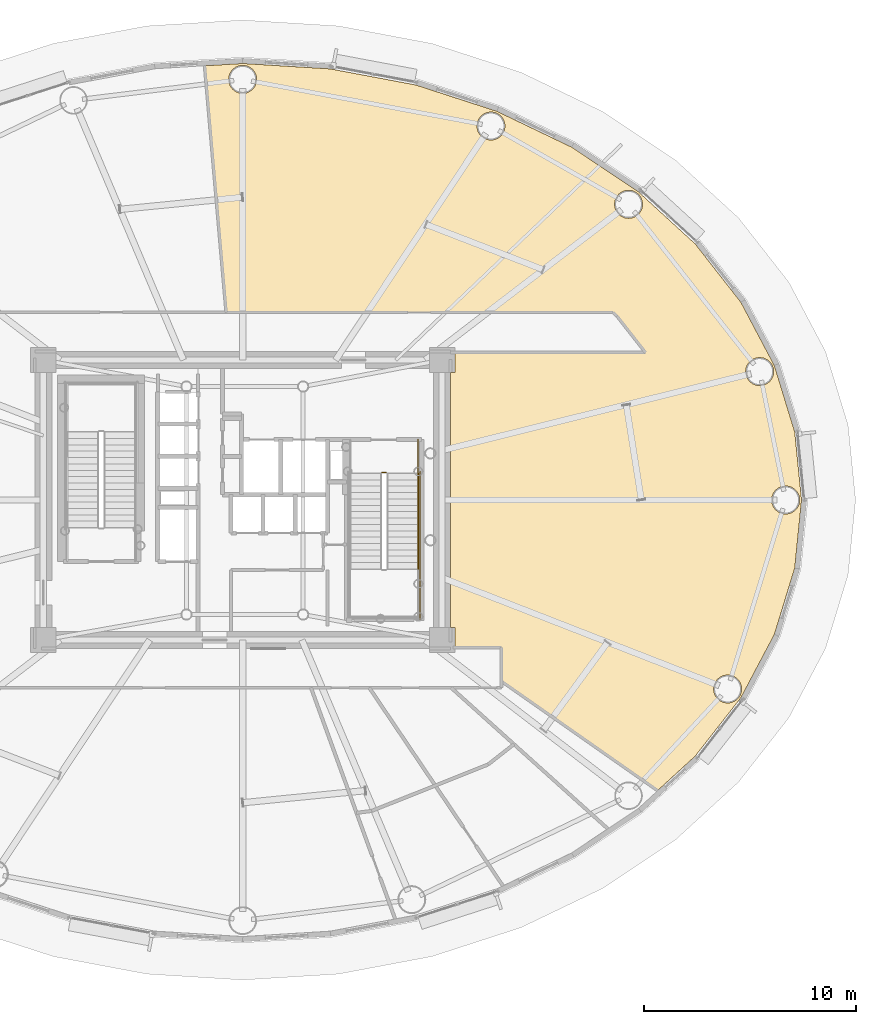
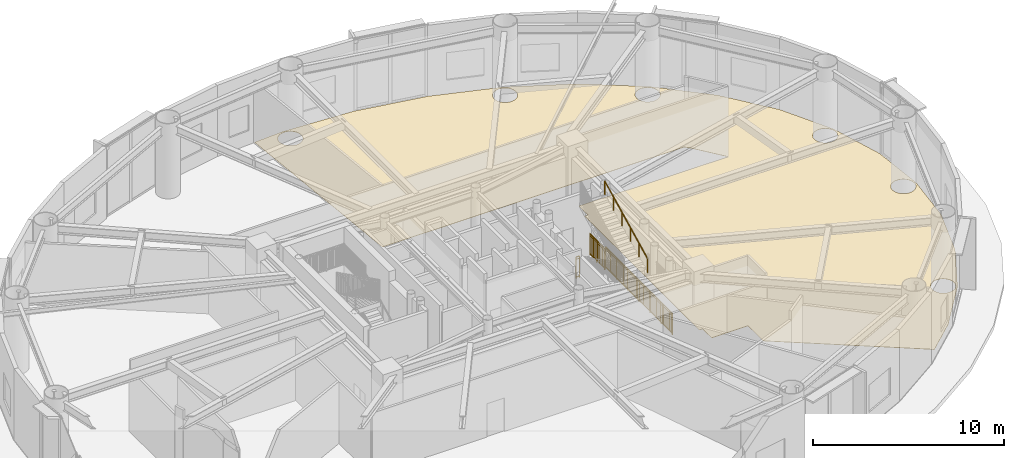
# One storey, part 37 of 38: 4 railings, 1 covering.
"""IFC4 building model written with IfcOpenShell, lengths in metres."""

from ifc_helpers import new_model, si_unit, direction, frame, origin, origin_2d, place, context, subcontext, project, spatial, polyline, rectangle, outline, extrude, source, transform, mapped, material, layer, layer_set, type_object, element, save


model = new_model("IFC4")

# Units and contexts
model_context = context("Model", 3, precision=1e-05, world=origin(), true_north=direction((0.0, 1.0)))
body_context = subcontext(model_context, "Body", "Model", "MODEL_VIEW")
ifc_project = project(units=[si_unit("LENGTHUNIT", "METRE"), si_unit("AREAUNIT", "SQUARE_METRE"), si_unit("VOLUMEUNIT", "CUBIC_METRE"), si_unit("PLANEANGLEUNIT", "RADIAN"), si_unit("MASSUNIT", "GRAM", prefix="KILO")], contexts=[model_context])

# Site, building, storey
site_placement = place(None, origin())
site = spatial("IfcSite", under=ifc_project, at=site_placement, CompositionType="ELEMENT")
building_placement = place(site_placement, origin())
building = spatial("IfcBuilding", under=site, at=building_placement, Name="Linh Dai School and Residence Tower", CompositionType="ELEMENT")
storey_placement = place(building_placement, frame((0.0, 0.0, 151.35009765625)))
storey = spatial("IfcBuildingStorey", under=building, at=storey_placement, Name="L36", CompositionType="ELEMENT", Elevation=151.35009765625)

# Covering
ifc_material_1 = material(Name="Polished Terrazzo Floor Finish", Category="masonry")
ifc_layer = layer(ifc_material_1, 0.02490234375)
ifc_layer_set = layer_set([ifc_layer], Name="Polished Terrazzo Floor Finish")
covering_type = type_object("IfcCoveringType", Name="COV-FLR-TRZ-25", PredefinedType="FLOORING", material=ifc_layer_set)
covering_placement = place(storey_placement, origin())
element("IfcCovering", 1, at=covering_placement, inside=storey, type_object=covering_type, Name="L36 Mid-Zone Transfer Sky Lobby Concourse Floor Finish", PredefinedType="FLOORING", context=body_context, shape_type="SweptSolid", body=[
    extrude(outline(polyline([(57.336669921875, 14.926513671875), (55.56396484375, 13.30126953125), (48.199951171875, 18.45751953125), (48.199951171875, 20.050048828125), (46.0, 20.050048828125), (46.0, 21.0), (45.800048828125, 21.0), (45.800048828125, 33.0), (46.0, 33.0), (46.0, 33.949951171875), (54.9970703125, 33.949951171875), (53.6533203125, 35.6669921875), (53.453857421875, 35.85009765625), (35.2255859375, 35.85009765625), (34.208984375, 47.469482421875), (36.0, 47.580078125), (40.13037109375, 47.325439453125), (44.158203125, 46.568115234375), (47.9833984375, 45.327392578125), (51.511474609375, 43.634521484375), (54.65478515625, 41.5322265625), (57.336669921875, 39.073486328125), (59.4912109375, 36.3203125), (61.067138671875, 33.341064453125), (62.027587890625, 30.208984375), (62.35009765625, 27.0), (62.027587890625, 23.791015625), (61.067138671875, 20.658935546875), (59.4912109375, 17.6796875), (57.336669921875, 14.926513671875)]), holes=[polyline([(61.930908203125, 26.4267578125), (62.068115234375, 26.531982421875), (62.17333984375, 26.6689453125), (62.239501953125, 26.82861328125), (62.261962890625, 27.0), (62.239501953125, 27.17138671875), (62.17333984375, 27.3310546875), (62.068115234375, 27.468017578125), (61.930908203125, 27.5732421875), (61.771240234375, 27.639404296875), (61.60009765625, 27.662109375), (61.4287109375, 27.639404296875), (61.26904296875, 27.5732421875), (61.1318359375, 27.468017578125), (61.026611328125, 27.3310546875), (60.960693359375, 27.17138671875), (60.93798828125, 27.0), (60.960693359375, 26.82861328125), (61.026611328125, 26.6689453125), (61.1318359375, 26.531982421875), (61.26904296875, 26.4267578125), (61.4287109375, 26.360595703125), (61.60009765625, 26.337890625), (61.771240234375, 26.360595703125), (61.930908203125, 26.4267578125)]), polyline([(60.842529296875, 32.58544921875), (60.94775390625, 32.72265625), (61.013916015625, 32.882080078125), (61.03662109375, 33.0537109375), (61.013916015625, 33.224853515625), (60.94775390625, 33.384521484375), (60.842529296875, 33.521728515625), (60.70556640625, 33.626953125), (60.5458984375, 33.693115234375), (60.37451171875, 33.715576171875), (60.203125, 33.693115234375), (60.04345703125, 33.626953125), (59.906494140625, 33.521728515625), (59.801025390625, 33.384521484375), (59.735107421875, 33.224853515625), (59.71240234375, 33.0537109375), (59.735107421875, 32.882080078125), (59.801025390625, 32.72265625), (59.906494140625, 32.58544921875), (60.04345703125, 32.480224609375), (60.203125, 32.4140625), (60.37451171875, 32.3916015625), (60.5458984375, 32.4140625), (60.70556640625, 32.480224609375), (60.842529296875, 32.58544921875)]), polyline([(59.330810546875, 17.62060546875), (59.435791015625, 17.7578125), (59.501953125, 17.91748046875), (59.524658203125, 18.0888671875), (59.501953125, 18.260009765625), (59.435791015625, 18.419921875), (59.330810546875, 18.556884765625), (59.193603515625, 18.662109375), (59.033935546875, 18.728271484375), (58.862548828125, 18.750732421875), (58.691162109375, 18.728271484375), (58.531494140625, 18.662109375), (58.39453125, 18.556884765625), (58.289306640625, 18.419921875), (58.22314453125, 18.260009765625), (58.20068359375, 18.0888671875), (58.22314453125, 17.91748046875), (58.289306640625, 17.7578125), (58.39453125, 17.62060546875), (58.531494140625, 17.515380859375), (58.691162109375, 17.44921875), (58.862548828125, 17.4267578125), (59.033935546875, 17.44921875), (59.193603515625, 17.515380859375), (59.330810546875, 17.62060546875)]), polyline([(54.5234375, 40.368408203125), (54.66064453125, 40.4736328125), (54.765869140625, 40.610595703125), (54.831787109375, 40.7705078125), (54.8544921875, 40.941650390625), (54.831787109375, 41.113037109375), (54.765869140625, 41.272705078125), (54.66064453125, 41.409912109375), (54.5234375, 41.514892578125), (54.36376953125, 41.581298828125), (54.1923828125, 41.603759765625), (54.021240234375, 41.581298828125), (53.861572265625, 41.514892578125), (53.724365234375, 41.409912109375), (53.619140625, 41.272705078125), (53.552978515625, 41.113037109375), (53.530517578125, 40.941650390625), (53.552978515625, 40.7705078125), (53.619140625, 40.610595703125), (53.724365234375, 40.4736328125), (53.861572265625, 40.368408203125), (54.021240234375, 40.30224609375), (54.1923828125, 40.27978515625), (54.36376953125, 40.30224609375), (54.5234375, 40.368408203125)]), polyline([(48.03662109375, 44.0576171875), (48.173583984375, 44.162841796875), (48.27880859375, 44.2998046875), (48.344970703125, 44.45947265625), (48.36767578125, 44.630859375), (48.344970703125, 44.80224609375), (48.27880859375, 44.9619140625), (48.173583984375, 45.09912109375), (48.03662109375, 45.2041015625), (47.876953125, 45.270263671875), (47.70556640625, 45.29296875), (47.5341796875, 45.270263671875), (47.37451171875, 45.2041015625), (47.237548828125, 45.09912109375), (47.132080078125, 44.9619140625), (47.066162109375, 44.80224609375), (47.043701171875, 44.630859375), (47.066162109375, 44.45947265625), (47.132080078125, 44.2998046875), (47.237548828125, 44.162841796875), (47.37451171875, 44.0576171875), (47.5341796875, 43.991455078125), (47.70556640625, 43.968994140625), (47.876953125, 43.991455078125), (48.03662109375, 44.0576171875)]), polyline([(36.468017578125, 46.36181640625), (36.5732421875, 46.4990234375), (36.639404296875, 46.65869140625), (36.662109375, 46.830078125), (36.639404296875, 47.001220703125), (36.5732421875, 47.160888671875), (36.468017578125, 47.298095703125), (36.3310546875, 47.4033203125), (36.17138671875, 47.469482421875), (36.0, 47.491943359375), (35.82861328125, 47.469482421875), (35.6689453125, 47.4033203125), (35.531982421875, 47.298095703125), (35.4267578125, 47.160888671875), (35.360595703125, 47.001220703125), (35.337890625, 46.830078125), (35.360595703125, 46.65869140625), (35.4267578125, 46.4990234375), (35.531982421875, 46.36181640625), (35.6689453125, 46.256591796875), (35.82861328125, 46.190673828125), (36.0, 46.16796875), (36.17138671875, 46.190673828125), (36.3310546875, 46.256591796875), (36.468017578125, 46.36181640625)])]), origin(), (0.0, 0.0, 1.0), 0.02001953125),
])

# Railings
ifc_material_2 = material(Name="Brushed Stainless Steel Handrail", Category="steel")
railing_type_1 = type_object("IfcRailingType", Name="RL-ST-HANDRAIL-900", PredefinedType="HANDRAIL", material=ifc_material_2)
shared_shape_1 = source(origin(), body_context, "Body", "SweptSolid", [
    extrude(rectangle(XDim=0.048095703125, YDim=0.048095703125, at=origin_2d()), frame((0.0, 0.0, 0.8759765625), z_axis=(0.0, 0.894427191, 0.4472135955), x_axis=(-1.0, 0.0, 0.0)), (0.0, 0.0, 1.0), 5.03125),
    extrude(rectangle(XDim=0.0419921875, YDim=0.0419921875, at=origin_2d()), origin(), (0.0, 0.0, 1.0), 0.8759765625),
    extrude(rectangle(XDim=0.0419921875, YDim=0.0419921875, at=origin_2d()), frame((0.0, 0.89990234375, 0.449951171875)), (0.0, 0.0, 1.0), 0.8759765625),
    extrude(rectangle(XDim=0.0419921875, YDim=0.0419921875, at=origin_2d()), frame((0.0, 1.800048828125, 0.89990234375)), (0.0, 0.0, 1.0), 0.8759765625),
    extrude(rectangle(XDim=0.0419921875, YDim=0.0419921875, at=origin_2d()), frame((0.0, 2.699951171875, 1.35009765625)), (0.0, 0.0, 1.0), 0.8759765625),
    extrude(rectangle(XDim=0.0419921875, YDim=0.0419921875, at=origin_2d()), frame((0.0, 3.60009765625, 1.800048828125)), (0.0, 0.0, 1.0), 0.8759765625),
    extrude(rectangle(XDim=0.0419921875, YDim=0.0419921875, at=origin_2d()), frame((0.0, 4.5, 2.25)), (0.0, 0.0, 1.0), 0.8759765625),
])
railing_1_placement = place(storey_placement, frame((44.27001953125, 23.75, 2.5498046875)))
element("IfcRailing", 2, at=railing_1_placement, inside=storey, type_object=railing_type_1, Name="L36 ST2 stair handrail 2", PredefinedType="HANDRAIL", context=body_context, shape_type="MappedRepresentation", body=[
    mapped(shared_shape_1, transform((0.0, 0.0, 0.0), x_axis=(1.0, 0.0, 0.0), y_axis=(0.0, 1.0, 0.0), z_axis=(0.0, 0.0, 1.0), scale=1.0)),
])
ifc_material_3 = material(Name="Structural Steel S355JR", Category="steel")
railing_type_2 = type_object("IfcRailingType", Name="RL-ST-GUARD-1400", PredefinedType="GUARDRAIL", material=ifc_material_3)
shared_shape_2 = source(origin(), body_context, "Body", "SweptSolid", [
    extrude(rectangle(XDim=0.048095703125, YDim=0.048095703125, at=origin_2d()), frame((0.0, 0.0, 1.3759765625), z_axis=(1.0, 0.0, 0.0), x_axis=(0.0, 1.0, 0.0)), (0.0, 0.0, 1.0), 0.199951171875),
    extrude(rectangle(XDim=0.048095703125, YDim=0.048095703125, at=origin_2d()), frame((0.0, 0.0, 0.10009765625), z_axis=(1.0, 0.0, 0.0), x_axis=(0.0, 1.0, 0.0)), (0.0, 0.0, 1.0), 0.199951171875),
    extrude(rectangle(XDim=0.030029296875, YDim=0.030029296875, at=origin_2d()), frame((0.0, 0.0, 1.239990234375), z_axis=(1.0, 0.0, 0.0), x_axis=(0.0, 1.0, 0.0)), (0.0, 0.0, 1.0), 0.199951171875),
    extrude(rectangle(XDim=0.0419921875, YDim=0.0419921875, at=origin_2d()), origin(), (0.0, 0.0, 1.0), 1.3759765625),
    extrude(rectangle(XDim=0.0419921875, YDim=0.0419921875, at=origin_2d()), frame((0.199951171875, 0.0, 0.0)), (0.0, 0.0, 1.0), 1.3759765625),
])
railing_2_placement = place(storey_placement, frame((42.570068359375, 28.300048828125, 0.0)))
element("IfcRailing", 3, at=railing_2_placement, inside=storey, type_object=railing_type_2, Name="L36 ST2 stair guard 7", PredefinedType="GUARDRAIL", context=body_context, shape_type="MappedRepresentation", body=[
    mapped(shared_shape_2, transform((0.0, 0.0, 0.0), x_axis=(1.0, 0.0, 0.0), y_axis=(0.0, 1.0, 0.0), z_axis=(0.0, 0.0, 1.0), scale=1.0)),
])
shared_shape_3 = source(origin(), body_context, "Body", "SweptSolid", [
    extrude(rectangle(XDim=0.048095703125, YDim=0.048095703125, at=origin_2d()), frame((0.0, 0.0, 1.3759765625), z_axis=(0.0, -1.0, 0.0), x_axis=(1.0, 0.0, 0.0)), (0.0, 0.0, 1.0), 1.60009765625),
    extrude(rectangle(XDim=0.048095703125, YDim=0.048095703125, at=origin_2d()), frame((0.0, 0.0, 0.10009765625), z_axis=(0.0, -1.0, 0.0), x_axis=(1.0, 0.0, 0.0)), (0.0, 0.0, 1.0), 1.60009765625),
    extrude(rectangle(XDim=0.030029296875, YDim=0.030029296875, at=origin_2d()), frame((0.0, 0.0, 1.239990234375), z_axis=(0.0, -1.0, 0.0), x_axis=(1.0, 0.0, 0.0)), (0.0, 0.0, 1.0), 1.60009765625),
    extrude(rectangle(XDim=0.02001953125, YDim=0.02001953125, at=origin_2d()), frame((0.0, -0.09423828125, 0.10009765625)), (0.0, 0.0, 1.0), 1.251708984375),
    extrude(rectangle(XDim=0.02001953125, YDim=0.02001953125, at=origin_2d()), frame((0.0, -0.188232421875, 0.10009765625)), (0.0, 0.0, 1.0), 1.251708984375),
    extrude(rectangle(XDim=0.02001953125, YDim=0.02001953125, at=origin_2d()), frame((0.0, -0.282470703125, 0.10009765625)), (0.0, 0.0, 1.0), 1.251708984375),
    extrude(rectangle(XDim=0.02001953125, YDim=0.02001953125, at=origin_2d()), frame((0.0, -0.37646484375, 0.10009765625)), (0.0, 0.0, 1.0), 1.251708984375),
    extrude(rectangle(XDim=0.02001953125, YDim=0.02001953125, at=origin_2d()), frame((0.0, -0.470703125, 0.10009765625)), (0.0, 0.0, 1.0), 1.251708984375),
    extrude(rectangle(XDim=0.02001953125, YDim=0.02001953125, at=origin_2d()), frame((0.0, -0.564697265625, 0.10009765625)), (0.0, 0.0, 1.0), 1.251708984375),
    extrude(rectangle(XDim=0.02001953125, YDim=0.02001953125, at=origin_2d()), frame((0.0, -0.658935546875, 0.10009765625)), (0.0, 0.0, 1.0), 1.251708984375),
    extrude(rectangle(XDim=0.02001953125, YDim=0.02001953125, at=origin_2d()), frame((0.0, -0.7529296875, 0.10009765625)), (0.0, 0.0, 1.0), 1.251708984375),
    extrude(rectangle(XDim=0.02001953125, YDim=0.02001953125, at=origin_2d()), frame((0.0, -0.84716796875, 0.10009765625)), (0.0, 0.0, 1.0), 1.251708984375),
    extrude(rectangle(XDim=0.02001953125, YDim=0.02001953125, at=origin_2d()), frame((0.0, -0.941162109375, 0.10009765625)), (0.0, 0.0, 1.0), 1.251708984375),
    extrude(rectangle(XDim=0.02001953125, YDim=0.02001953125, at=origin_2d()), frame((0.0, -1.035400390625, 0.10009765625)), (0.0, 0.0, 1.0), 1.251708984375),
    extrude(rectangle(XDim=0.02001953125, YDim=0.02001953125, at=origin_2d()), frame((0.0, -1.12939453125, 0.10009765625)), (0.0, 0.0, 1.0), 1.251708984375),
    extrude(rectangle(XDim=0.02001953125, YDim=0.02001953125, at=origin_2d()), frame((0.0, -1.2236328125, 0.10009765625)), (0.0, 0.0, 1.0), 1.251708984375),
    extrude(rectangle(XDim=0.02001953125, YDim=0.02001953125, at=origin_2d()), frame((0.0, -1.317626953125, 0.10009765625)), (0.0, 0.0, 1.0), 1.251708984375),
    extrude(rectangle(XDim=0.02001953125, YDim=0.02001953125, at=origin_2d()), frame((0.0, -1.411865234375, 0.10009765625)), (0.0, 0.0, 1.0), 1.251708984375),
    extrude(rectangle(XDim=0.02001953125, YDim=0.02001953125, at=origin_2d()), frame((0.0, -1.505859375, 0.10009765625)), (0.0, 0.0, 1.0), 1.251708984375),
    extrude(rectangle(XDim=0.0419921875, YDim=0.0419921875, at=origin_2d()), origin(), (0.0, 0.0, 1.0), 1.3759765625),
    extrude(rectangle(XDim=0.0419921875, YDim=0.0419921875, at=origin_2d()), frame((0.0, -0.800048828125, 0.0)), (0.0, 0.0, 1.0), 1.3759765625),
    extrude(rectangle(XDim=0.0419921875, YDim=0.0419921875, at=origin_2d()), frame((0.0, -1.60009765625, 0.0)), (0.0, 0.0, 1.0), 1.3759765625),
])
railing_3_placement = place(storey_placement, frame((44.27001953125, 29.85009765625, 0.0)))
element("IfcRailing", 4, at=railing_3_placement, inside=storey, type_object=railing_type_2, Name="L36 ST2 stair guard 9", PredefinedType="GUARDRAIL", context=body_context, shape_type="MappedRepresentation", body=[
    mapped(shared_shape_3, transform((0.0, 0.0, 0.0), x_axis=(1.0, 0.0, 0.0), y_axis=(0.0, 1.0, 0.0), z_axis=(0.0, 0.0, 1.0), scale=1.0)),
])
shared_shape_4 = source(origin(), body_context, "Body", "SweptSolid", [
    extrude(rectangle(XDim=0.048095703125, YDim=0.048095703125, at=origin_2d()), frame((0.0, 0.0, 1.3759765625), z_axis=(0.0, -1.0, 0.0), x_axis=(1.0, 0.0, 0.0)), (0.0, 0.0, 1.0), 7.0),
    extrude(rectangle(XDim=0.048095703125, YDim=0.048095703125, at=origin_2d()), frame((0.0, 0.0, 0.10009765625), z_axis=(0.0, -1.0, 0.0), x_axis=(1.0, 0.0, 0.0)), (0.0, 0.0, 1.0), 7.0),
    extrude(rectangle(XDim=0.030029296875, YDim=0.030029296875, at=origin_2d()), frame((0.0, 0.0, 1.239990234375), z_axis=(0.0, -1.0, 0.0), x_axis=(1.0, 0.0, 0.0)), (0.0, 0.0, 1.0), 7.0),
    extrude(rectangle(XDim=0.02001953125, YDim=0.02001953125, at=origin_2d()), frame((0.0, -0.09716796875, 0.10009765625)), (0.0, 0.0, 1.0), 1.251708984375),
    extrude(rectangle(XDim=0.02001953125, YDim=0.02001953125, at=origin_2d()), frame((0.0, -0.1943359375, 0.10009765625)), (0.0, 0.0, 1.0), 1.251708984375),
    extrude(rectangle(XDim=0.02001953125, YDim=0.02001953125, at=origin_2d()), frame((0.0, -0.291748046875, 0.10009765625)), (0.0, 0.0, 1.0), 1.251708984375),
    extrude(rectangle(XDim=0.02001953125, YDim=0.02001953125, at=origin_2d()), frame((0.0, -0.388916015625, 0.10009765625)), (0.0, 0.0, 1.0), 1.251708984375),
    extrude(rectangle(XDim=0.02001953125, YDim=0.02001953125, at=origin_2d()), frame((0.0, -0.486083984375, 0.10009765625)), (0.0, 0.0, 1.0), 1.251708984375),
    extrude(rectangle(XDim=0.02001953125, YDim=0.02001953125, at=origin_2d()), frame((0.0, -0.583251953125, 0.10009765625)), (0.0, 0.0, 1.0), 1.251708984375),
    extrude(rectangle(XDim=0.02001953125, YDim=0.02001953125, at=origin_2d()), frame((0.0, -0.6806640625, 0.10009765625)), (0.0, 0.0, 1.0), 1.251708984375),
    extrude(rectangle(XDim=0.02001953125, YDim=0.02001953125, at=origin_2d()), frame((0.0, -0.77783203125, 0.10009765625)), (0.0, 0.0, 1.0), 1.251708984375),
    extrude(rectangle(XDim=0.02001953125, YDim=0.02001953125, at=origin_2d()), frame((0.0, -0.875, 0.10009765625)), (0.0, 0.0, 1.0), 1.251708984375),
    extrude(rectangle(XDim=0.02001953125, YDim=0.02001953125, at=origin_2d()), frame((0.0, -0.97216796875, 0.10009765625)), (0.0, 0.0, 1.0), 1.251708984375),
    extrude(rectangle(XDim=0.02001953125, YDim=0.02001953125, at=origin_2d()), frame((0.0, -1.0693359375, 0.10009765625)), (0.0, 0.0, 1.0), 1.251708984375),
    extrude(rectangle(XDim=0.02001953125, YDim=0.02001953125, at=origin_2d()), frame((0.0, -1.263916015625, 0.10009765625)), (0.0, 0.0, 1.0), 1.251708984375),
    extrude(rectangle(XDim=0.02001953125, YDim=0.02001953125, at=origin_2d()), frame((0.0, -1.361083984375, 0.10009765625)), (0.0, 0.0, 1.0), 1.251708984375),
    extrude(rectangle(XDim=0.02001953125, YDim=0.02001953125, at=origin_2d()), frame((0.0, -1.458251953125, 0.10009765625)), (0.0, 0.0, 1.0), 1.251708984375),
    extrude(rectangle(XDim=0.02001953125, YDim=0.02001953125, at=origin_2d()), frame((0.0, -1.5556640625, 0.10009765625)), (0.0, 0.0, 1.0), 1.251708984375),
    extrude(rectangle(XDim=0.02001953125, YDim=0.02001953125, at=origin_2d()), frame((0.0, -1.65283203125, 0.10009765625)), (0.0, 0.0, 1.0), 1.251708984375),
    extrude(rectangle(XDim=0.02001953125, YDim=0.02001953125, at=origin_2d()), frame((0.0, -1.75, 0.10009765625)), (0.0, 0.0, 1.0), 1.251708984375),
    extrude(rectangle(XDim=0.02001953125, YDim=0.02001953125, at=origin_2d()), frame((0.0, -1.84716796875, 0.10009765625)), (0.0, 0.0, 1.0), 1.251708984375),
    extrude(rectangle(XDim=0.02001953125, YDim=0.02001953125, at=origin_2d()), frame((0.0, -1.9443359375, 0.10009765625)), (0.0, 0.0, 1.0), 1.251708984375),
    extrude(rectangle(XDim=0.02001953125, YDim=0.02001953125, at=origin_2d()), frame((0.0, -2.041748046875, 0.10009765625)), (0.0, 0.0, 1.0), 1.251708984375),
    extrude(rectangle(XDim=0.02001953125, YDim=0.02001953125, at=origin_2d()), frame((0.0, -2.138916015625, 0.10009765625)), (0.0, 0.0, 1.0), 1.251708984375),
    extrude(rectangle(XDim=0.02001953125, YDim=0.02001953125, at=origin_2d()), frame((0.0, -2.236083984375, 0.10009765625)), (0.0, 0.0, 1.0), 1.251708984375),
    extrude(rectangle(XDim=0.02001953125, YDim=0.02001953125, at=origin_2d()), frame((0.0, -2.4306640625, 0.10009765625)), (0.0, 0.0, 1.0), 1.251708984375),
    extrude(rectangle(XDim=0.02001953125, YDim=0.02001953125, at=origin_2d()), frame((0.0, -2.52783203125, 0.10009765625)), (0.0, 0.0, 1.0), 1.251708984375),
    extrude(rectangle(XDim=0.02001953125, YDim=0.02001953125, at=origin_2d()), frame((0.0, -2.625, 0.10009765625)), (0.0, 0.0, 1.0), 1.251708984375),
    extrude(rectangle(XDim=0.02001953125, YDim=0.02001953125, at=origin_2d()), frame((0.0, -2.72216796875, 0.10009765625)), (0.0, 0.0, 1.0), 1.251708984375),
    extrude(rectangle(XDim=0.02001953125, YDim=0.02001953125, at=origin_2d()), frame((0.0, -2.8193359375, 0.10009765625)), (0.0, 0.0, 1.0), 1.251708984375),
    extrude(rectangle(XDim=0.02001953125, YDim=0.02001953125, at=origin_2d()), frame((0.0, -2.916748046875, 0.10009765625)), (0.0, 0.0, 1.0), 1.251708984375),
    extrude(rectangle(XDim=0.02001953125, YDim=0.02001953125, at=origin_2d()), frame((0.0, -3.013916015625, 0.10009765625)), (0.0, 0.0, 1.0), 1.251708984375),
    extrude(rectangle(XDim=0.02001953125, YDim=0.02001953125, at=origin_2d()), frame((0.0, -3.111083984375, 0.10009765625)), (0.0, 0.0, 1.0), 1.251708984375),
    extrude(rectangle(XDim=0.02001953125, YDim=0.02001953125, at=origin_2d()), frame((0.0, -3.208251953125, 0.10009765625)), (0.0, 0.0, 1.0), 1.251708984375),
    extrude(rectangle(XDim=0.02001953125, YDim=0.02001953125, at=origin_2d()), frame((0.0, -3.3056640625, 0.10009765625)), (0.0, 0.0, 1.0), 1.251708984375),
    extrude(rectangle(XDim=0.02001953125, YDim=0.02001953125, at=origin_2d()), frame((0.0, -3.40283203125, 0.10009765625)), (0.0, 0.0, 1.0), 1.251708984375),
    extrude(rectangle(XDim=0.02001953125, YDim=0.02001953125, at=origin_2d()), frame((0.0, -3.59716796875, 0.10009765625)), (0.0, 0.0, 1.0), 1.251708984375),
    extrude(rectangle(XDim=0.02001953125, YDim=0.02001953125, at=origin_2d()), frame((0.0, -3.6943359375, 0.10009765625)), (0.0, 0.0, 1.0), 1.251708984375),
    extrude(rectangle(XDim=0.02001953125, YDim=0.02001953125, at=origin_2d()), frame((0.0, -3.791748046875, 0.10009765625)), (0.0, 0.0, 1.0), 1.251708984375),
    extrude(rectangle(XDim=0.02001953125, YDim=0.02001953125, at=origin_2d()), frame((0.0, -3.888916015625, 0.10009765625)), (0.0, 0.0, 1.0), 1.251708984375),
    extrude(rectangle(XDim=0.02001953125, YDim=0.02001953125, at=origin_2d()), frame((0.0, -3.986083984375, 0.10009765625)), (0.0, 0.0, 1.0), 1.251708984375),
    extrude(rectangle(XDim=0.02001953125, YDim=0.02001953125, at=origin_2d()), frame((0.0, -4.083251953125, 0.10009765625)), (0.0, 0.0, 1.0), 1.251708984375),
    extrude(rectangle(XDim=0.02001953125, YDim=0.02001953125, at=origin_2d()), frame((0.0, -4.1806640625, 0.10009765625)), (0.0, 0.0, 1.0), 1.251708984375),
    extrude(rectangle(XDim=0.02001953125, YDim=0.02001953125, at=origin_2d()), frame((0.0, -4.27783203125, 0.10009765625)), (0.0, 0.0, 1.0), 1.251708984375),
    extrude(rectangle(XDim=0.02001953125, YDim=0.02001953125, at=origin_2d()), frame((0.0, -4.375, 0.10009765625)), (0.0, 0.0, 1.0), 1.251708984375),
    extrude(rectangle(XDim=0.02001953125, YDim=0.02001953125, at=origin_2d()), frame((0.0, -4.47216796875, 0.10009765625)), (0.0, 0.0, 1.0), 1.251708984375),
    extrude(rectangle(XDim=0.02001953125, YDim=0.02001953125, at=origin_2d()), frame((0.0, -4.5693359375, 0.10009765625)), (0.0, 0.0, 1.0), 1.251708984375),
    extrude(rectangle(XDim=0.02001953125, YDim=0.02001953125, at=origin_2d()), frame((0.0, -4.763916015625, 0.10009765625)), (0.0, 0.0, 1.0), 1.251708984375),
    extrude(rectangle(XDim=0.02001953125, YDim=0.02001953125, at=origin_2d()), frame((0.0, -4.861083984375, 0.10009765625)), (0.0, 0.0, 1.0), 1.251708984375),
    extrude(rectangle(XDim=0.02001953125, YDim=0.02001953125, at=origin_2d()), frame((0.0, -4.958251953125, 0.10009765625)), (0.0, 0.0, 1.0), 1.251708984375),
    extrude(rectangle(XDim=0.02001953125, YDim=0.02001953125, at=origin_2d()), frame((0.0, -5.0556640625, 0.10009765625)), (0.0, 0.0, 1.0), 1.251708984375),
    extrude(rectangle(XDim=0.02001953125, YDim=0.02001953125, at=origin_2d()), frame((0.0, -5.15283203125, 0.10009765625)), (0.0, 0.0, 1.0), 1.251708984375),
    extrude(rectangle(XDim=0.02001953125, YDim=0.02001953125, at=origin_2d()), frame((0.0, -5.25, 0.10009765625)), (0.0, 0.0, 1.0), 1.251708984375),
    extrude(rectangle(XDim=0.02001953125, YDim=0.02001953125, at=origin_2d()), frame((0.0, -5.34716796875, 0.10009765625)), (0.0, 0.0, 1.0), 1.251708984375),
    extrude(rectangle(XDim=0.02001953125, YDim=0.02001953125, at=origin_2d()), frame((0.0, -5.4443359375, 0.10009765625)), (0.0, 0.0, 1.0), 1.251708984375),
    extrude(rectangle(XDim=0.02001953125, YDim=0.02001953125, at=origin_2d()), frame((0.0, -5.541748046875, 0.10009765625)), (0.0, 0.0, 1.0), 1.251708984375),
    extrude(rectangle(XDim=0.02001953125, YDim=0.02001953125, at=origin_2d()), frame((0.0, -5.638916015625, 0.10009765625)), (0.0, 0.0, 1.0), 1.251708984375),
    extrude(rectangle(XDim=0.02001953125, YDim=0.02001953125, at=origin_2d()), frame((0.0, -5.736083984375, 0.10009765625)), (0.0, 0.0, 1.0), 1.251708984375),
    extrude(rectangle(XDim=0.02001953125, YDim=0.02001953125, at=origin_2d()), frame((0.0, -5.9306640625, 0.10009765625)), (0.0, 0.0, 1.0), 1.251708984375),
    extrude(rectangle(XDim=0.02001953125, YDim=0.02001953125, at=origin_2d()), frame((0.0, -6.02783203125, 0.10009765625)), (0.0, 0.0, 1.0), 1.251708984375),
    extrude(rectangle(XDim=0.02001953125, YDim=0.02001953125, at=origin_2d()), frame((0.0, -6.125, 0.10009765625)), (0.0, 0.0, 1.0), 1.251708984375),
    extrude(rectangle(XDim=0.02001953125, YDim=0.02001953125, at=origin_2d()), frame((0.0, -6.22216796875, 0.10009765625)), (0.0, 0.0, 1.0), 1.251708984375),
    extrude(rectangle(XDim=0.02001953125, YDim=0.02001953125, at=origin_2d()), frame((0.0, -6.3193359375, 0.10009765625)), (0.0, 0.0, 1.0), 1.251708984375),
    extrude(rectangle(XDim=0.02001953125, YDim=0.02001953125, at=origin_2d()), frame((0.0, -6.416748046875, 0.10009765625)), (0.0, 0.0, 1.0), 1.251708984375),
    extrude(rectangle(XDim=0.02001953125, YDim=0.02001953125, at=origin_2d()), frame((0.0, -6.513916015625, 0.10009765625)), (0.0, 0.0, 1.0), 1.251708984375),
    extrude(rectangle(XDim=0.02001953125, YDim=0.02001953125, at=origin_2d()), frame((0.0, -6.611083984375, 0.10009765625)), (0.0, 0.0, 1.0), 1.251708984375),
    extrude(rectangle(XDim=0.02001953125, YDim=0.02001953125, at=origin_2d()), frame((0.0, -6.708251953125, 0.10009765625)), (0.0, 0.0, 1.0), 1.251708984375),
    extrude(rectangle(XDim=0.02001953125, YDim=0.02001953125, at=origin_2d()), frame((0.0, -6.8056640625, 0.10009765625)), (0.0, 0.0, 1.0), 1.251708984375),
    extrude(rectangle(XDim=0.02001953125, YDim=0.02001953125, at=origin_2d()), frame((0.0, -6.90283203125, 0.10009765625)), (0.0, 0.0, 1.0), 1.251708984375),
    extrude(rectangle(XDim=0.0419921875, YDim=0.0419921875, at=origin_2d()), origin(), (0.0, 0.0, 1.0), 1.3759765625),
    extrude(rectangle(XDim=0.0419921875, YDim=0.0419921875, at=origin_2d()), frame((0.0, -1.166748046875, 0.0)), (0.0, 0.0, 1.0), 1.3759765625),
    extrude(rectangle(XDim=0.0419921875, YDim=0.0419921875, at=origin_2d()), frame((0.0, -2.333251953125, 0.0)), (0.0, 0.0, 1.0), 1.3759765625),
    extrude(rectangle(XDim=0.0419921875, YDim=0.0419921875, at=origin_2d()), frame((0.0, -3.5, 0.0)), (0.0, 0.0, 1.0), 1.3759765625),
    extrude(rectangle(XDim=0.0419921875, YDim=0.0419921875, at=origin_2d()), frame((0.0, -4.666748046875, 0.0)), (0.0, 0.0, 1.0), 1.3759765625),
    extrude(rectangle(XDim=0.0419921875, YDim=0.0419921875, at=origin_2d()), frame((0.0, -5.833251953125, 0.0)), (0.0, 0.0, 1.0), 1.3759765625),
    extrude(rectangle(XDim=0.0419921875, YDim=0.0419921875, at=origin_2d()), frame((0.0, -7.0, 0.0)), (0.0, 0.0, 1.0), 1.3759765625),
])
railing_4_placement = place(storey_placement, frame((44.3701171875, 28.35009765625, 0.0)))
element("IfcRailing", 5, at=railing_4_placement, inside=storey, type_object=railing_type_2, Name="L36 ST2 stair guard 11", PredefinedType="GUARDRAIL", context=body_context, shape_type="MappedRepresentation", body=[
    mapped(shared_shape_4, transform((0.0, 0.0, 0.0), x_axis=(1.0, 0.0, 0.0), y_axis=(0.0, 1.0, 0.0), z_axis=(0.0, 0.0, 1.0), scale=1.0)),
])

save(model, "model.ifc")
